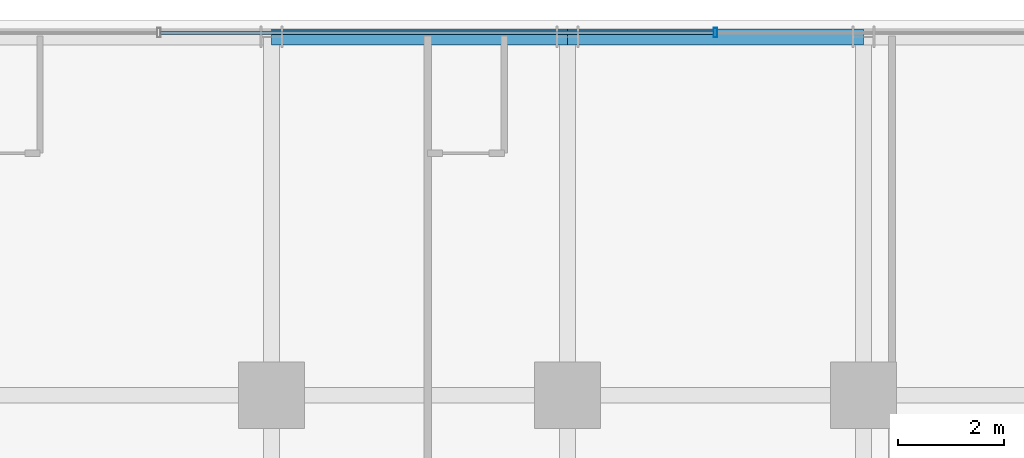
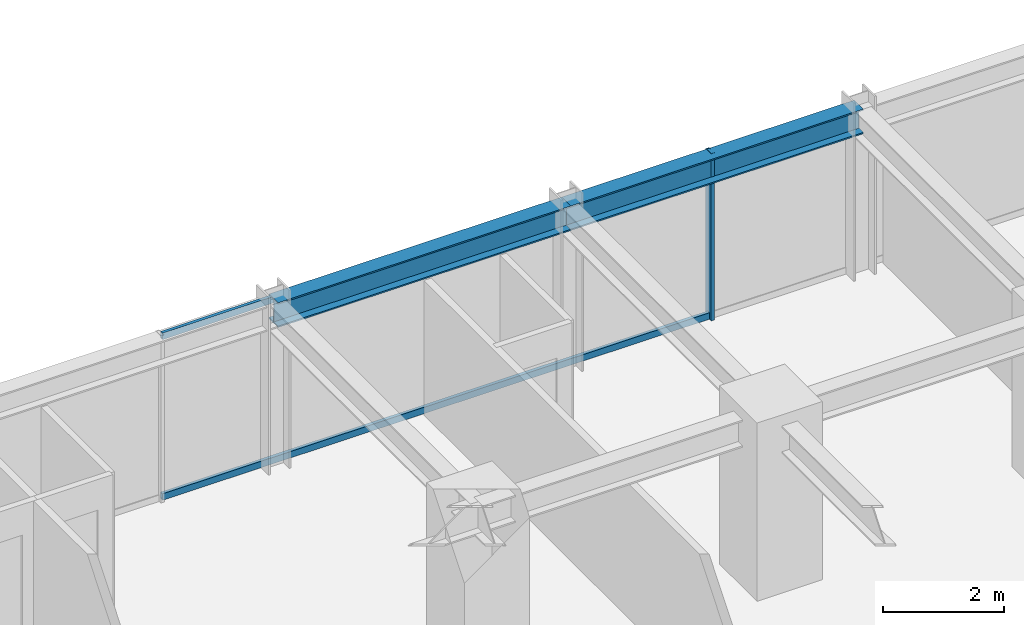
# One storey, part 20 of 32: 3 members, 2 beams, 1 element without a shape of its own.
"""IFC4 building model written with IfcOpenShell, lengths in metres."""

from ifc_helpers import new_model, si_unit, direction, frame, origin, origin_2d, place, context, subcontext, project, spatial, hollow_rectangle, i_section, extrude, source, transform, mapped, material, material_profile, profile_set, type_object, element, aggregate, save


model = new_model("IFC4")

# Units and contexts
model_context = context("Model", 3, precision=1e-05, world=origin(), true_north=direction((0.0, 1.0)))
body_context = subcontext(model_context, "Body", "Model", "MODEL_VIEW")
ifc_project = project(units=[si_unit("LENGTHUNIT", "METRE"), si_unit("AREAUNIT", "SQUARE_METRE"), si_unit("VOLUMEUNIT", "CUBIC_METRE"), si_unit("PLANEANGLEUNIT", "RADIAN"), si_unit("MASSUNIT", "GRAM", prefix="KILO")], contexts=[model_context])

# Site, building, storey
site_placement = place(None, origin())
site = spatial("IfcSite", under=ifc_project, at=site_placement, CompositionType="ELEMENT")
building_placement = place(site_placement, origin())
building = spatial("IfcBuilding", under=site, at=building_placement, Name="Nahalor Promenade Grand Hotel", CompositionType="ELEMENT")
storey_placement = place(building_placement, frame((0.0, 0.0, 110.199951171875)))
storey = spatial("IfcBuildingStorey", under=building, at=storey_placement, Name="L27", CompositionType="ELEMENT", Elevation=110.199951171875)

# Beams
ifc_material_1 = material(Name="Steel S355JR", Category="steel")
ifc_material_profile_1 = material_profile(ifc_material_1, i_section(OverallWidth=0.3, OverallDepth=0.5, WebThickness=0.0145, FlangeThickness=0.028, at=origin_2d()), Name="HEB 500")
ifc_profile_set_1 = profile_set([ifc_material_profile_1], Name="Steel S355JR")
beam_type = type_object("IfcBeamType", Name="Beam-Spandrel-HEB500", PredefinedType="SPANDREL", material=ifc_profile_set_1)
shared_shape_1 = source(origin(), body_context, "Body", "SweptSolid", [
    extrude(i_section(OverallWidth=0.3, OverallDepth=0.5, WebThickness=0.0145, FlangeThickness=0.028, at=origin_2d()), origin(), (0.0, 0.0, 1.0), 5.599853515625),
])
beam_1_placement = place(storey_placement, frame((-8.39990234375, 23.780029296875, 3.130126953125), z_axis=(1.0, 0.0, 0.0), x_axis=(0.0, 1.0, 0.0)))
element("IfcBeam", 1, at=beam_1_placement, inside=storey, type_object=beam_type, Name="BM-L27-SP-N-1", PredefinedType="SPANDREL", context=body_context, shape_type="MappedRepresentation", body=[
    mapped(shared_shape_1, transform((0.0, 0.0, 0.0), scale=1.0)),
])
shared_shape_2 = source(origin(), body_context, "Body", "SweptSolid", [
    extrude(i_section(OverallWidth=0.3, OverallDepth=0.5, WebThickness=0.0145, FlangeThickness=0.028, at=origin_2d()), origin(), (0.0, 0.0, 1.0), 5.60009765625),
])
beam_2_placement = place(storey_placement, frame((-2.800048828125, 23.780029296875, 3.130126953125), z_axis=(1.0, 0.0, 0.0), x_axis=(0.0, 1.0, 0.0)))
element("IfcBeam", 2, at=beam_2_placement, inside=storey, type_object=beam_type, Name="BM-L27-SP-N-2", PredefinedType="SPANDREL", context=body_context, shape_type="MappedRepresentation", body=[
    mapped(shared_shape_2, transform((0.0, 0.0, 0.0), scale=1.0)),
])

# Curtain wall, members
ifc_material_2 = material(Name="Anodised Bronze Aluminium EN AW-6063 T6", Category="aluminium")
curtain_wall_type = type_object("IfcCurtainWallType", Name="CW2 Typical Hotel Flush Bronze Unitised Curtain Wall", PredefinedType="USERDEFINED", material=ifc_material_2)
curtain_wall_placement = place(storey_placement, origin())
curtain_wall = element("IfcCurtainWall", 3, at=curtain_wall_placement, inside=storey, type_object=curtain_wall_type, Name="L27 Curtain Wall CW-L27-N-1", ObjectType="UNITISED_CURTAIN_WALL", PredefinedType="USERDEFINED")
ifc_material_profile_2 = material_profile(ifc_material_2, hollow_rectangle(XDim=0.065, YDim=0.13, WallThickness=0.004, at=origin_2d()), Name="CWT 65x130x4")
ifc_profile_set_2 = profile_set([ifc_material_profile_2], Name="Anodised Bronze Aluminium EN AW-6063 T6")
member_type_1 = type_object("IfcMemberType", Name="CWT2 Typical Bronze Transom 65x130", PredefinedType="USERDEFINED", material=ifc_profile_set_2)
shared_shape_3 = source(origin(), body_context, "Body", "SweptSolid", [
    extrude(hollow_rectangle(XDim=0.065, YDim=0.13, WallThickness=0.004, at=origin_2d()), origin(), (0.0, 0.0, 1.0), 10.465087890625),
])
member_1_placement = place(storey_placement, frame((-10.49755859375, 23.860107421875, 0.06494140625), z_axis=(1.0, 0.0, 0.0), x_axis=(0.0, 1.0, 0.0)))
member_1 = element("IfcMember", 4, at=member_1_placement, type_object=member_type_1, Name="CW-L27-N-1 Transom 1-0", ObjectType="TRANSOM", PredefinedType="USERDEFINED", context=body_context, shape_type="MappedRepresentation", body=[
    mapped(shared_shape_3, transform((0.0, 0.0, 0.0), scale=1.0)),
])
member_2_placement = place(storey_placement, frame((-10.49755859375, 23.860107421875, 3.31494140625), z_axis=(1.0, 0.0, 0.0), x_axis=(0.0, 1.0, 0.0)))
member_2 = element("IfcMember", 5, at=member_2_placement, type_object=member_type_1, Name="CW-L27-N-1 Transom 1-1", ObjectType="TRANSOM", PredefinedType="USERDEFINED", context=body_context, shape_type="MappedRepresentation", body=[
    mapped(shared_shape_3, transform((0.0, 0.0, 0.0), scale=1.0)),
])
ifc_material_profile_3 = material_profile(ifc_material_2, hollow_rectangle(XDim=0.065, YDim=0.18, WallThickness=0.004, at=origin_2d()), Name="CWM 65x180x4")
ifc_profile_set_3 = profile_set([ifc_material_profile_3], Name="Anodised Bronze Aluminium EN AW-6063 T6")
member_type_2 = type_object("IfcMemberType", Name="CWM2 Typical Bronze Mullion 65x180", PredefinedType="MULLION", material=ifc_profile_set_3)
shared_shape_4 = source(origin(), body_context, "Body", "SweptSolid", [
    extrude(hollow_rectangle(XDim=0.065, YDim=0.18, WallThickness=0.004, at=origin_2d()), origin(), (0.0, 0.0, 1.0), 3.380126953125),
])
member_3_placement = place(storey_placement, frame((0.0, 23.860107421875, 0.0), z_axis=(0.0, 0.0, 1.0), x_axis=(1.0, 0.0, 0.0)))
member_3 = element("IfcMember", 6, at=member_3_placement, type_object=member_type_2, Name="CW-L27-N-1 Mullion 2", PredefinedType="MULLION", context=body_context, shape_type="MappedRepresentation", body=[
    mapped(shared_shape_4, transform((0.0, 0.0, 0.0), scale=1.0)),
])
aggregate(curtain_wall, [member_3, member_1, member_2])

save(model, "model.ifc")
